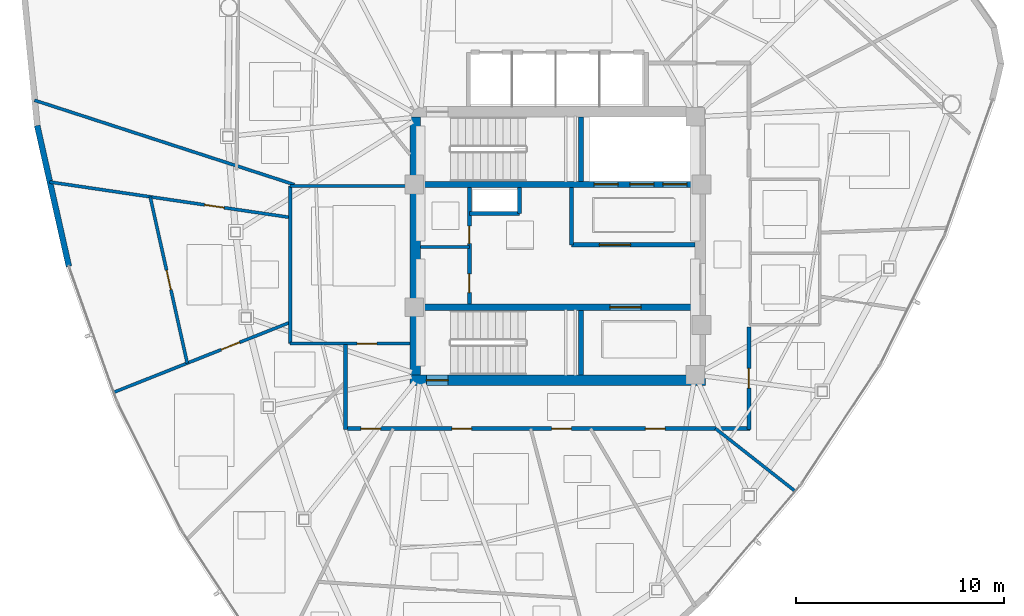
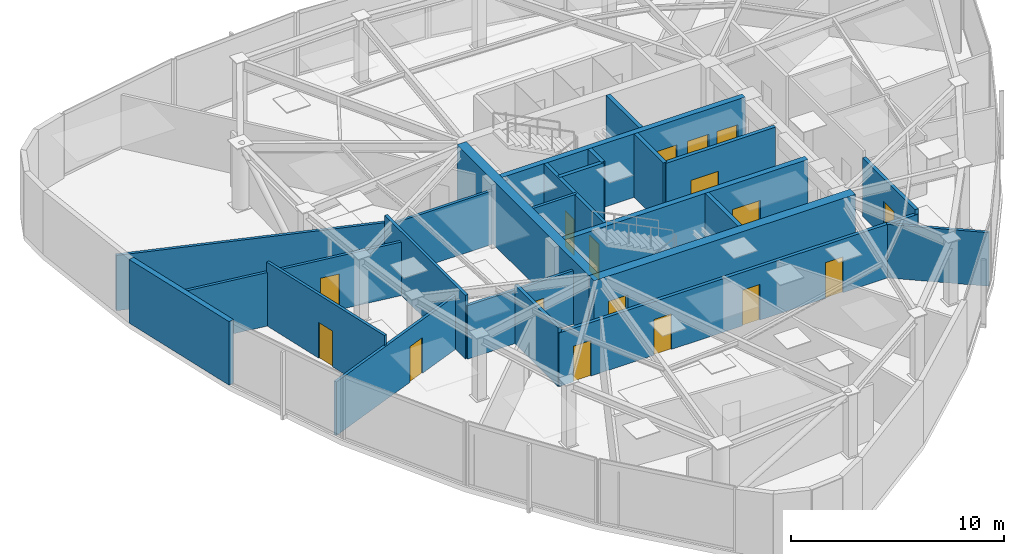
# One storey, part 8 of 13: 24 walls, 17 doors, 17 openings.
"""IFC4 building model written with IfcOpenShell, lengths in metres."""

import ifcopenshell
import ifcopenshell.guid

model = None  # the IFC model being written
_history = None  # IfcOwnerHistory: only IFC2X3 demands one
_inside = {}  # id of a spatial element -> (the spatial element, [elements in it])
_under = {}  # id of a project, library or spatial element -> (it, [spatial elements below it])
_declared = {}  # id of a project -> (the project, [libraries it declares])
_typed = {}  # id of a type object -> (the type object, [elements of that type])
_made_of = {}  # id of a material, layer set ... -> (it, [elements and type objects made of it])


def new_model(schema):
    """Start an empty IFC model of exactly this schema.

    Asked for "IFC4X3", IfcOpenShell would pick the latest addendum, in which some entities
    have other attributes; the version numbers below select the first issue.
    IFC2X3 requires an IfcOwnerHistory on every rooted entity: one is made here for all.
    """
    global model, _history
    if schema == "IFC4X3":
        model = ifcopenshell.file(schema_version=(4, 3, 0, 0))
    else:
        model = ifcopenshell.file(schema=schema)
    _inside.clear()
    _under.clear()
    _declared.clear()
    _typed.clear()
    _made_of.clear()
    _history = None
    if model.schema == "IFC2X3":
        org = make("IfcOrganization", Name="unknown")
        user = make(
            "IfcPersonAndOrganization",
            ThePerson=make("IfcPerson", FamilyName="unknown"),
            TheOrganization=org,
        )
        app = make(
            "IfcApplication",
            ApplicationDeveloper=org,
            Version="unknown",
            ApplicationFullName="unknown",
            ApplicationIdentifier="unknown",
        )
        _history = make(
            "IfcOwnerHistory",
            OwningUser=user,
            OwningApplication=app,
            ChangeAction="ADDED",
            CreationDate=0,
        )
    return model


def make(cls, **values):
    """One entity of the class cls with the attributes given. An attribute that is None is left unset."""
    return model.create_entity(
        cls, **{name: value for name, value in values.items() if value is not None}
    )


def rooted(cls, **values):
    """An entity with a GlobalId (a new one), such as an element, a storey or a relation."""
    return make(cls, GlobalId=ifcopenshell.guid.new(), OwnerHistory=_history, **values)


def si_unit(unit_type, name, prefix=None):
    """IfcSIUnit, for example si_unit("LENGTHUNIT", "METRE", prefix="MILLI")."""
    return make("IfcSIUnit", UnitType=unit_type, Prefix=prefix, Name=name)


def assignment(units):
    """IfcUnitAssignment: the units of a project."""
    return None if units is None else make("IfcUnitAssignment", Units=units)


def point(xyz):
    """IfcCartesianPoint."""
    return None if xyz is None else make("IfcCartesianPoint", Coordinates=xyz)


def direction(xyz):
    """IfcDirection."""
    return None if xyz is None else make("IfcDirection", DirectionRatios=xyz)


def frame(location, z_axis=None, x_axis=None):
    """IfcAxis2Placement3D, a coordinate frame: its origin and axes. An axis left out is left unset."""
    return make(
        "IfcAxis2Placement3D",
        Location=point(location),
        Axis=direction(z_axis),
        RefDirection=direction(x_axis),
    )


def frame_2d(location, x_axis=None):
    """IfcAxis2Placement2D, a coordinate frame in the plane: its origin and x axis."""
    return make(
        "IfcAxis2Placement2D", Location=point(location), RefDirection=direction(x_axis)
    )


def origin():
    """The frame at (0, 0, 0) with its axes left unset."""
    return frame((0.0, 0.0, 0.0))


def place(relative_to, where):
    """IfcLocalPlacement: puts the frame where relative to a parent placement (None: the world)."""
    return make(
        "IfcLocalPlacement", PlacementRelTo=relative_to, RelativePlacement=where
    )


def context(
    kind, dimensions, precision=None, world=None, true_north=None, identifier=None
):
    """IfcGeometricRepresentationContext, for example the 3D "Model" context."""
    return make(
        "IfcGeometricRepresentationContext",
        ContextIdentifier=identifier,
        ContextType=kind,
        CoordinateSpaceDimension=dimensions,
        Precision=precision,
        WorldCoordinateSystem=world,
        TrueNorth=true_north,
    )


def subcontext(parent, identifier, kind, view, scale=None):
    """IfcGeometricRepresentationSubContext, for example "Body" below "Model"."""
    return make(
        "IfcGeometricRepresentationSubContext",
        ContextIdentifier=identifier,
        ContextType=kind,
        ParentContext=parent,
        TargetScale=scale,
        TargetView=view,
    )


def project(units=None, contexts=None):
    """IfcProject with its units and contexts."""
    return rooted(
        "IfcProject",
        Name="project",
        RepresentationContexts=contexts,
        UnitsInContext=assignment(units),
    )


def spatial(cls, under=None, at=None, **own):
    """A site, building, storey or space (cls), placed at a placement, below another one or the project."""
    s = rooted(cls, ObjectPlacement=at, **own)
    if under is not None:
        _under.setdefault(under.id(), (under, []))[1].append(s)
    return s


def profile(cls, at=None, kind="AREA", **sizes):
    """A parametric profile (cls). Its sizes go by their IFC names, for example OverallWidth=200.0."""
    return make(cls, ProfileType=kind, Position=at, **sizes)


def rectangle(**sizes):
    """IfcRectangleProfileDef."""
    return profile("IfcRectangleProfileDef", **sizes)


def extrude(swept, where, along, depth):
    """IfcExtrudedAreaSolid: the profile swept, set in the frame where, extruded along a direction by depth."""
    return make(
        "IfcExtrudedAreaSolid",
        SweptArea=swept,
        Position=where,
        ExtrudedDirection=direction(along),
        Depth=depth,
    )


def shape(context_of_items, identifier, shape_type, items):
    """IfcShapeRepresentation: the items that make up one representation, for example the "Body"."""
    return make(
        "IfcShapeRepresentation",
        ContextOfItems=context_of_items,
        RepresentationIdentifier=identifier,
        RepresentationType=shape_type,
        Items=items,
    )


def material(Name=None, Category=None):
    """IfcMaterial."""
    return make("IfcMaterial", Name=Name, Category=Category)


def layer(
    of_material, thickness, ventilated=None, Name=None, Category=None, Priority=None
):
    """IfcMaterialLayer: one layer of a wall or slab, of a material (None: an air gap)."""
    return make(
        "IfcMaterialLayer",
        Material=of_material,
        LayerThickness=thickness,
        IsVentilated=ventilated,
        Name=Name,
        Category=Category,
        Priority=Priority,
    )


def layer_set(layers, Name=None):
    """IfcMaterialLayerSet."""
    return make("IfcMaterialLayerSet", MaterialLayers=layers, LayerSetName=Name)


def made_of(thing, what):
    """Note that an element or type object is made of a material, layer set ...; save() writes the relation."""
    if what is not None:
        _made_of.setdefault(what.id(), (what, []))[1].append(thing)
    return thing


def type_object(cls, material=None, **own):
    """A type object (cls), such as IfcWallType, which elements share."""
    return made_of(rooted(cls, **own), material)


def element(
    cls,
    number,
    at=None,
    inside=None,
    cuts=None,
    type_object=None,
    material=None,
    context=None,
    identifier="Body",
    shape_type=None,
    held_by="IfcProductDefinitionShape",
    body=None,
    shapes=None,
    **own,
):
    """One element of the class cls, such as IfcWall. Its Tag is "e" and its number.

    at: its placement. inside: the storey or other place that contains it. cuts: it is an
    opening in that element (IfcRelVoidsElement). A single representation is given by context,
    identifier, shape_type and body (its items); several are given by shapes. held_by: the class
    of the entity that holds the representations. save() writes the other relations.
    """
    e = rooted(cls, Tag="e%d" % number, ObjectPlacement=at, **own)
    if body is not None:
        shapes = [shape(context, identifier, shape_type, body)]
    if shapes is not None:
        e.Representation = make(held_by, Representations=shapes)
    if inside is not None:
        _inside.setdefault(inside.id(), (inside, []))[1].append(e)
    if cuts is not None:
        rooted(
            "IfcRelVoidsElement", RelatingBuildingElement=cuts, RelatedOpeningElement=e
        )
    if type_object is not None:
        _typed.setdefault(type_object.id(), (type_object, []))[1].append(e)
    return made_of(e, material)


def fill(opening, filler):
    """IfcRelFillsElement: the door or window that sits in an opening."""
    return rooted(
        "IfcRelFillsElement",
        RelatingOpeningElement=opening,
        RelatedBuildingElement=filler,
    )


def aggregate(whole, parts):
    """IfcRelAggregates: a whole, such as a stair, and the parts it consists of."""
    return rooted("IfcRelAggregates", RelatingObject=whole, RelatedObjects=parts)


def save(model, path):
    """Write the relations noted so far, then the file.

    IfcRelAggregates (storeys below a building ...), IfcRelContainedInSpatialStructure (elements
    in a storey), IfcRelDefinesByType, IfcRelAssociatesMaterial and IfcRelDeclares: one each for
    every whole, place, type object, material and project.
    """
    for whole, parts in _under.values():
        aggregate(whole, parts)
    for where, things in _inside.values():
        rooted(
            "IfcRelContainedInSpatialStructure",
            RelatedElements=things,
            RelatingStructure=where,
        )
    for kind, things in _typed.values():
        rooted("IfcRelDefinesByType", RelatedObjects=things, RelatingType=kind)
    for what, things in _made_of.values():
        rooted("IfcRelAssociatesMaterial", RelatedObjects=things, RelatingMaterial=what)
    for by, libraries in _declared.values():
        rooted("IfcRelDeclares", RelatingContext=by, RelatedDefinitions=libraries)
    model.write(path)


model = new_model("IFC4")

# Units and contexts
model_context = context("Model", 3, precision=1e-05, world=origin(), true_north=direction((0.0, 1.0)))
body_context = subcontext(model_context, "Body", "Model", "MODEL_VIEW")
ifc_project = project(units=[si_unit("LENGTHUNIT", "METRE"), si_unit("AREAUNIT", "SQUARE_METRE"), si_unit("VOLUMEUNIT", "CUBIC_METRE"), si_unit("PLANEANGLEUNIT", "RADIAN"), si_unit("MASSUNIT", "GRAM", prefix="KILO")], contexts=[model_context])

# Site, building, storey
site_placement = place(None, origin())
site = spatial("IfcSite", under=ifc_project, at=site_placement, CompositionType="ELEMENT")
building_placement = place(site_placement, origin())
building = spatial("IfcBuilding", under=site, at=building_placement, Name="Tavelor Broadcast Tower", CompositionType="ELEMENT")
storey_placement = place(building_placement, frame((0.0, 0.0, 265.60009765625)))
storey = spatial("IfcBuildingStorey", under=building, at=storey_placement, Name="L63", CompositionType="ELEMENT", Elevation=265.60009765625)

# Wall, opening, door
ifc_material_1 = material(Name="Concrete C50/60", Category="concrete")
ifc_layer_1 = layer(ifc_material_1, 0.5)
ifc_layer_set_1 = layer_set([ifc_layer_1], Name="Concrete C50/60")
wall_type_1 = type_object("IfcWallType", Name="Core Shear Wall 500 mm", PredefinedType="SHEAR", material=ifc_layer_set_1)
wall_1_placement = place(storey_placement, frame((42.89990234375, 38.550048828125, 0.0), z_axis=(0.0, 0.0, 1.0), x_axis=(1.0, 0.0, 0.0)))
wall_1 = element("IfcWall", 1, at=wall_1_placement, inside=storey, type_object=wall_type_1, Name="L63 Central Core Shear Wall S", PredefinedType="SHEAR", context=body_context, shape_type="SweptSolid", body=[
    extrude(rectangle(XDim=14.2001953125, YDim=0.5, at=frame_2d((7.10009765625, 0.0))), origin(), (0.0, 0.0, 1.0), 3.64990234375),
])
opening_1_placement = place(wall_1_placement, frame((0.780029296875, 0.0, 0.0)))
opening_1 = element("IfcOpeningElement", 2, at=opening_1_placement, cuts=wall_1, Name="Opening DR11", PredefinedType="OPENING", context=body_context, shape_type="SweptSolid", body=[
    extrude(rectangle(XDim=1.050048828125, YDim=2.199951171875, at=frame_2d((0.52490234375, 1.10009765625))), frame((0.0, 0.260009765625, 0.0), z_axis=(0.0, -1.0, 0.0), x_axis=(1.0, 0.0, 0.0)), (0.0, 0.0, 1.0), 0.52001953125),
])
ifc_material_2 = material(Name="Steel S355", Category="steel")
door_type_1 = type_object("IfcDoorType", Name="Stair Core Fire Escape Door 1050x2200", OperationType="NOTDEFINED", PredefinedType="DOOR", material=ifc_material_2)
door_1_placement = place(opening_1_placement, origin())
door_1 = element("IfcDoor", 3, at=door_1_placement, inside=storey, type_object=door_type_1, Name="L63 Stair ST2 Protected Exit Door", OperationType="SINGLE_SWING_RIGHT", OverallHeight=2.199951171875, OverallWidth=1.050048828125, PredefinedType="DOOR", context=body_context, shape_type="SweptSolid", body=[
    extrude(rectangle(XDim=1.050048828125, YDim=2.199951171875, at=frame_2d((0.52490234375, 1.10009765625))), frame((0.0, 0.02490234375, 0.0), z_axis=(0.0, -1.0, 0.0), x_axis=(1.0, 0.0, 0.0)), (0.0, 0.0, 1.0), 0.050048828125),
])
fill(opening_1, door_1)

# Wall
wall_2_placement = place(storey_placement, frame((43.14990234375, 38.800048828125, 0.0), z_axis=(0.0, 0.0, 1.0), x_axis=(0.0, 1.0, 0.0)))
element("IfcWall", 4, at=wall_2_placement, inside=storey, type_object=wall_type_1, Name="L63 Central Core Shear Wall W", PredefinedType="SHEAR", context=body_context, shape_type="SweptSolid", body=[
    extrude(rectangle(XDim=12.39990234375, YDim=0.5, at=frame_2d((6.199951171875, 0.0))), origin(), (0.0, 0.0, 1.0), 3.64990234375),
])

# Wall, openings, doors
ifc_layer_2 = layer(ifc_material_1, 0.300048828125)
ifc_layer_set_2 = layer_set([ifc_layer_2], Name="Concrete C50/60")
wall_type_2 = type_object("IfcWallType", Name="Core Spine Shear Wall 300 mm C50", PredefinedType="SHEAR", material=ifc_layer_set_2)
wall_3_placement = place(storey_placement, frame((43.39990234375, 47.949951171875, 0.0), z_axis=(0.0, 0.0, 1.0), x_axis=(1.0, 0.0, 0.0)))
wall_3 = element("IfcWall", 5, at=wall_3_placement, inside=storey, type_object=wall_type_2, Name="L63 Central Core Shear Wall SP1", PredefinedType="SHEAR", context=body_context, shape_type="SweptSolid", body=[
    extrude(rectangle(XDim=13.2001953125, YDim=0.300048828125, at=frame_2d((6.60009765625, 0.0))), origin(), (0.0, 0.0, 1.0), 3.64990234375),
])
opening_2_placement = place(wall_3_placement, frame((8.344970703125, 0.0, 0.0)))
opening_2 = element("IfcOpeningElement", 6, at=opening_2_placement, cuts=wall_3, Name="Opening LD02", PredefinedType="OPENING", context=body_context, shape_type="SweptSolid", body=[
    extrude(rectangle(XDim=1.14990234375, YDim=2.199951171875, at=frame_2d((0.574951171875, 1.10009765625))), frame((0.0, 0.16015625, 0.0), z_axis=(0.0, -1.0, 0.0), x_axis=(1.0, 0.0, 0.0)), (0.0, 0.0, 1.0), 0.320068359375),
])
opening_3_placement = place(wall_3_placement, frame((10.06494140625, 0.0, 0.0)))
opening_3 = element("IfcOpeningElement", 7, at=opening_3_placement, cuts=wall_3, Name="Opening LD02", PredefinedType="OPENING", context=body_context, shape_type="SweptSolid", body=[
    extrude(rectangle(XDim=1.14990234375, YDim=2.199951171875, at=frame_2d((0.574951171875, 1.10009765625))), frame((0.0, 0.16015625, 0.0), z_axis=(0.0, -1.0, 0.0), x_axis=(1.0, 0.0, 0.0)), (0.0, 0.0, 1.0), 0.320068359375),
])
opening_4_placement = place(wall_3_placement, frame((11.64501953125, 0.0, 0.0)))
opening_4 = element("IfcOpeningElement", 8, at=opening_4_placement, cuts=wall_3, Name="Opening LD03", PredefinedType="OPENING", context=body_context, shape_type="SweptSolid", body=[
    extrude(rectangle(XDim=1.14990234375, YDim=2.199951171875, at=frame_2d((0.574951171875, 1.10009765625))), frame((0.0, 0.16015625, 0.0), z_axis=(0.0, -1.0, 0.0), x_axis=(1.0, 0.0, 0.0)), (0.0, 0.0, 1.0), 0.320068359375),
])
ifc_material_3 = material(Name="Reinforced Brushed Stainless Steel", Category="concrete")
door_type_2 = type_object("IfcDoorType", Name="Broadcast Goods Lift Sliding Landing Door 1250x2200", OperationType="NOTDEFINED", PredefinedType="DOOR", material=ifc_material_3)
door_2_placement = place(opening_4_placement, origin())
door_2 = element("IfcDoor", 9, at=door_2_placement, inside=storey, type_object=door_type_2, Name="L63 Lift SVL1 Sliding Landing Door", OperationType="SLIDING_TO_LEFT", OverallHeight=2.199951171875, OverallWidth=1.14990234375, PredefinedType="DOOR", context=body_context, shape_type="SweptSolid", body=[
    extrude(rectangle(XDim=1.14990234375, YDim=2.199951171875, at=frame_2d((0.574951171875, 1.10009765625))), frame((0.0, 0.02490234375, 0.0), z_axis=(0.0, -1.0, 0.0), x_axis=(1.0, 0.0, 0.0)), (0.0, 0.0, 1.0), 0.050048828125),
])
fill(opening_4, door_2)
ifc_material_4 = material(Name="Fire-Rated Stainless Steel", Category="steel")
door_type_3 = type_object("IfcDoorType", Name="Firefighting Lift Sliding Landing Door 1200x2200", OperationType="NOTDEFINED", PredefinedType="DOOR", material=ifc_material_4)
door_3_placement = place(opening_2_placement, origin())
door_3 = element("IfcDoor", 10, at=door_3_placement, inside=storey, type_object=door_type_3, Name="L63 Lift FFL1 Sliding Landing Door", OperationType="SLIDING_TO_LEFT", OverallHeight=2.199951171875, OverallWidth=1.14990234375, PredefinedType="DOOR", context=body_context, shape_type="SweptSolid", body=[
    extrude(rectangle(XDim=1.14990234375, YDim=2.199951171875, at=frame_2d((0.574951171875, 1.10009765625))), frame((0.0, 0.02490234375, 0.0), z_axis=(0.0, -1.0, 0.0), x_axis=(1.0, 0.0, 0.0)), (0.0, 0.0, 1.0), 0.050048828125),
])
fill(opening_2, door_3)
door_4_placement = place(opening_3_placement, origin())
door_4 = element("IfcDoor", 11, at=door_4_placement, inside=storey, type_object=door_type_3, Name="L63 Lift FFL2 Sliding Landing Door", OperationType="SLIDING_TO_LEFT", OverallHeight=2.199951171875, OverallWidth=1.14990234375, PredefinedType="DOOR", context=body_context, shape_type="SweptSolid", body=[
    extrude(rectangle(XDim=1.14990234375, YDim=2.199951171875, at=frame_2d((0.574951171875, 1.10009765625))), frame((0.0, 0.02490234375, 0.0), z_axis=(0.0, -1.0, 0.0), x_axis=(1.0, 0.0, 0.0)), (0.0, 0.0, 1.0), 0.050048828125),
])
fill(opening_3, door_4)

# Wall, opening, door
wall_4_placement = place(storey_placement, frame((43.39990234375, 42.050048828125, 0.0), z_axis=(0.0, 0.0, 1.0), x_axis=(1.0, 0.0, 0.0)))
wall_4 = element("IfcWall", 12, at=wall_4_placement, inside=storey, type_object=wall_type_2, Name="L63 Central Core Shear Wall SP2", PredefinedType="SHEAR", context=body_context, shape_type="SweptSolid", body=[
    extrude(rectangle(XDim=13.2001953125, YDim=0.300048828125, at=frame_2d((6.60009765625, 0.0))), origin(), (0.0, 0.0, 1.0), 3.64990234375),
])
opening_5_placement = place(wall_4_placement, frame((9.10009765625, 0.0, 0.0)))
opening_5 = element("IfcOpeningElement", 13, at=opening_5_placement, cuts=wall_4, Name="Opening DR14", PredefinedType="OPENING", context=body_context, shape_type="SweptSolid", body=[
    extrude(rectangle(XDim=1.5, YDim=2.199951171875, at=frame_2d((0.75, 1.10009765625))), frame((0.0, 0.16015625, 0.0), z_axis=(0.0, -1.0, 0.0), x_axis=(1.0, 0.0, 0.0)), (0.0, 0.0, 1.0), 0.320068359375),
])
door_type_4 = type_object("IfcDoorType", Name="Firefighting Lobby Double Fire Door 1500x2200", OperationType="NOTDEFINED", PredefinedType="DOOR", material=ifc_material_2)
door_5_placement = place(opening_5_placement, origin())
door_5 = element("IfcDoor", 14, at=door_5_placement, inside=storey, type_object=door_type_4, Name="L63 Reclaimed South Core Vestibule Door", OperationType="SINGLE_SWING_LEFT", OverallHeight=2.199951171875, OverallWidth=1.5, PredefinedType="DOOR", context=body_context, shape_type="SweptSolid", body=[
    extrude(rectangle(XDim=1.5, YDim=2.199951171875, at=frame_2d((0.75, 1.10009765625))), frame((0.0, 0.02490234375, 0.0), z_axis=(0.0, -1.0, 0.0), x_axis=(1.0, 0.0, 0.0)), (0.0, 0.0, 1.0), 0.050048828125),
])
fill(opening_5, door_5)

# Wall, openings, doors
ifc_material_5 = material(Name="Calcium Silicate Fire Board 180 mm", Category="gypsum")
ifc_layer_3 = layer(ifc_material_5, 0.179931640625)
ifc_layer_set_3 = layer_set([ifc_layer_3], Name="Calcium Silicate Fire Board 180 mm")
wall_type_3 = type_object("IfcWallType", Name="Fire-Rated Corridor Partition Wall 180 mm", PredefinedType="PARTITIONING", material=ifc_layer_set_3)
wall_5_placement = place(storey_placement, frame((45.75, 42.199951171875, 0.0), z_axis=(0.0, 0.0, 1.0), x_axis=(0.0, 1.0, 0.0)))
wall_5 = element("IfcWall", 15, at=wall_5_placement, inside=storey, type_object=wall_type_3, Name="L63 Core West Service East Wall", PredefinedType="PARTITIONING", context=body_context, shape_type="SweptSolid", body=[
    extrude(rectangle(XDim=5.60009765625, YDim=0.179931640625, at=frame_2d((2.800048828125, 0.0))), origin(), (0.0, 0.0, 1.0), 3.64990234375),
])
opening_6_placement = place(wall_5_placement, frame((0.550048828125, 0.0, 0.0)))
opening_6 = element("IfcOpeningElement", 16, at=opening_6_placement, cuts=wall_5, Name="Opening DR32", PredefinedType="OPENING", context=body_context, shape_type="SweptSolid", body=[
    extrude(rectangle(XDim=0.89990234375, YDim=2.050048828125, at=frame_2d((0.449951171875, 1.02490234375))), frame((0.0, 0.10009765625, 0.0), z_axis=(0.0, -1.0, 0.0), x_axis=(1.0, 0.0, 0.0)), (0.0, 0.0, 1.0), 0.199951171875),
])
opening_7_placement = place(wall_5_placement, frame((2.89990234375, 0.0, 0.0)))
opening_7 = element("IfcOpeningElement", 17, at=opening_7_placement, cuts=wall_5, Name="Opening DR36", PredefinedType="OPENING", context=body_context, shape_type="SweptSolid", body=[
    extrude(rectangle(XDim=0.85009765625, YDim=2.050048828125, at=frame_2d((0.425048828125, 1.02490234375))), frame((0.0, 0.10009765625, 0.0), z_axis=(0.0, -1.0, 0.0), x_axis=(1.0, 0.0, 0.0)), (0.0, 0.0, 1.0), 0.199951171875),
])
ifc_material_6 = material(Name="Timber Solid Core Hardwood", Category="wood")
door_type_5 = type_object("IfcDoorType", Name="Accessible Washroom Door 900x2050", OperationType="NOTDEFINED", PredefinedType="DOOR", material=ifc_material_6)
door_6_placement = place(opening_6_placement, origin())
door_6 = element("IfcDoor", 18, at=door_6_placement, inside=storey, type_object=door_type_5, Name="L63 Core Accessible WC Door", OperationType="SINGLE_SWING_LEFT", OverallHeight=2.050048828125, OverallWidth=0.89990234375, PredefinedType="DOOR", context=body_context, shape_type="SweptSolid", body=[
    extrude(rectangle(XDim=0.89990234375, YDim=2.050048828125, at=frame_2d((0.449951171875, 1.02490234375))), frame((0.0, 0.02490234375, 0.0), z_axis=(0.0, -1.0, 0.0), x_axis=(1.0, 0.0, 0.0)), (0.0, 0.0, 1.0), 0.050048828125),
])
fill(opening_6, door_6)
door_type_6 = type_object("IfcDoorType", Name="Service Room Fire Door 850x2050", OperationType="NOTDEFINED", PredefinedType="DOOR", material=ifc_material_2)
door_7_placement = place(opening_7_placement, origin())
door_7 = element("IfcDoor", 19, at=door_7_placement, inside=storey, type_object=door_type_6, Name="L63 Core Cleaner Store Door", OperationType="SINGLE_SWING_RIGHT", OverallHeight=2.050048828125, OverallWidth=0.85009765625, PredefinedType="DOOR", context=body_context, shape_type="SweptSolid", body=[
    extrude(rectangle(XDim=0.85009765625, YDim=2.050048828125, at=frame_2d((0.425048828125, 1.02490234375))), frame((0.0, 0.02490234375, 0.0), z_axis=(0.0, -1.0, 0.0), x_axis=(1.0, 0.0, 0.0)), (0.0, 0.0, 1.0), 0.050048828125),
])
fill(opening_7, door_7)

# Wall, opening, door
wall_6_placement = place(storey_placement, frame((59.179931640625, 41.10009765625, 0.0), z_axis=(0.0, 0.0, 1.0), x_axis=(0.0, -1.0, 0.0)))
wall_6 = element("IfcWall", 20, at=wall_6_placement, inside=storey, type_object=wall_type_3, Name="L63 Corridor Compartment Wall 03", PredefinedType="PARTITIONING", context=body_context, shape_type="SweptSolid", body=[
    extrude(rectangle(XDim=4.93017578125, YDim=0.179931640625, at=frame_2d((2.465087890625, 0.0))), origin(), (0.0, 0.0, 1.0), 3.35498046875),
])
opening_8_placement = place(wall_6_placement, frame((1.989990234375, 0.0, 0.0)))
opening_8 = element("IfcOpeningElement", 21, at=opening_8_placement, cuts=wall_6, Name="Opening DR18", PredefinedType="OPENING", context=body_context, shape_type="SweptSolid", body=[
    extrude(rectangle(XDim=0.949951171875, YDim=2.050048828125, at=frame_2d((0.47509765625, 1.02490234375))), frame((0.0, 0.10009765625, 0.0), z_axis=(0.0, -1.0, 0.0), x_axis=(1.0, 0.0, 0.0)), (0.0, 0.0, 1.0), 0.199951171875),
])
door_type_7 = type_object("IfcDoorType", Name="Corridor Rated Compartment Door 950x2050", OperationType="NOTDEFINED", PredefinedType="DOOR", material=ifc_material_6)
door_8_placement = place(opening_8_placement, origin())
door_8 = element("IfcDoor", 22, at=door_8_placement, inside=storey, type_object=door_type_7, Name="L63 Talent Script Den Door R1", OperationType="SINGLE_SWING_LEFT", OverallHeight=2.050048828125, OverallWidth=0.949951171875, PredefinedType="DOOR", context=body_context, shape_type="SweptSolid", body=[
    extrude(rectangle(XDim=0.949951171875, YDim=2.050048828125, at=frame_2d((0.47509765625, 1.02490234375))), frame((0.0, 0.02490234375, 0.0), z_axis=(0.0, -1.0, 0.0), x_axis=(1.0, 0.0, 0.0)), (0.0, 0.0, 1.0), 0.050048828125),
])
fill(opening_8, door_8)

# Wall, openings, doors
wall_7_placement = place(storey_placement, frame((59.22998046875, 36.219970703125, 0.0), z_axis=(0.0, 0.0, 1.0), x_axis=(-1.0, 0.0, 0.0)))
wall_7 = element("IfcWall", 23, at=wall_7_placement, inside=storey, type_object=wall_type_3, Name="L63 Corridor Compartment Wall 04", PredefinedType="PARTITIONING", context=body_context, shape_type="SweptSolid", body=[
    extrude(rectangle(XDim=19.47998046875, YDim=0.179931640625, at=frame_2d((9.739990234375, 0.0))), origin(), (0.0, 0.0, 1.0), 3.074951171875),
])
opening_9_placement = place(wall_7_placement, frame((4.0712890625, 0.0, 0.0)))
opening_9 = element("IfcOpeningElement", 24, at=opening_9_placement, cuts=wall_7, Name="Opening DR18", PredefinedType="OPENING", context=body_context, shape_type="SweptSolid", body=[
    extrude(rectangle(XDim=0.949951171875, YDim=2.050048828125, at=frame_2d((0.47509765625, 1.02490234375))), frame((0.0, 0.10009765625, 0.0), z_axis=(0.0, -1.0, 0.0), x_axis=(1.0, 0.0, 0.0)), (0.0, 0.0, 1.0), 0.199951171875),
])
opening_10_placement = place(wall_7_placement, frame((8.58251953125, 0.0, 0.0)))
opening_10 = element("IfcOpeningElement", 25, at=opening_10_placement, cuts=wall_7, Name="Opening DR18", PredefinedType="OPENING", context=body_context, shape_type="SweptSolid", body=[
    extrude(rectangle(XDim=0.949951171875, YDim=2.050048828125, at=frame_2d((0.47509765625, 1.02490234375))), frame((0.0, 0.10009765625, 0.0), z_axis=(0.0, -1.0, 0.0), x_axis=(1.0, 0.0, 0.0)), (0.0, 0.0, 1.0), 0.199951171875),
])
opening_11_placement = place(wall_7_placement, frame((13.3720703125, 0.0, 0.0)))
opening_11 = element("IfcOpeningElement", 26, at=opening_11_placement, cuts=wall_7, Name="Opening DR18", PredefinedType="OPENING", context=body_context, shape_type="SweptSolid", body=[
    extrude(rectangle(XDim=0.949951171875, YDim=2.050048828125, at=frame_2d((0.47509765625, 1.02490234375))), frame((0.0, 0.10009765625, 0.0), z_axis=(0.0, -1.0, 0.0), x_axis=(1.0, 0.0, 0.0)), (0.0, 0.0, 1.0), 0.199951171875),
])
opening_12_placement = place(wall_7_placement, frame((17.747314453125, 0.0, 0.0)))
opening_12 = element("IfcOpeningElement", 27, at=opening_12_placement, cuts=wall_7, Name="Opening DR18", PredefinedType="OPENING", context=body_context, shape_type="SweptSolid", body=[
    extrude(rectangle(XDim=0.949951171875, YDim=2.050048828125, at=frame_2d((0.47509765625, 1.02490234375))), frame((0.0, 0.10009765625, 0.0), z_axis=(0.0, -1.0, 0.0), x_axis=(1.0, 0.0, 0.0)), (0.0, 0.0, 1.0), 0.199951171875),
])
door_9_placement = place(opening_9_placement, origin())
door_9 = element("IfcDoor", 28, at=door_9_placement, inside=storey, type_object=door_type_7, Name="L63 Editorial Quiet Study Door R2", OperationType="SINGLE_SWING_RIGHT", OverallHeight=2.050048828125, OverallWidth=0.949951171875, PredefinedType="DOOR", context=body_context, shape_type="SweptSolid", body=[
    extrude(rectangle(XDim=0.949951171875, YDim=2.050048828125, at=frame_2d((0.47509765625, 1.02490234375))), frame((0.0, 0.02490234375, 0.0), z_axis=(0.0, -1.0, 0.0), x_axis=(1.0, 0.0, 0.0)), (0.0, 0.0, 1.0), 0.050048828125),
])
fill(opening_9, door_9)
door_10_placement = place(opening_10_placement, origin())
door_10 = element("IfcDoor", 29, at=door_10_placement, inside=storey, type_object=door_type_7, Name="L63 Broadcast Script Study Door R3", OperationType="SINGLE_SWING_LEFT", OverallHeight=2.050048828125, OverallWidth=0.949951171875, PredefinedType="DOOR", context=body_context, shape_type="SweptSolid", body=[
    extrude(rectangle(XDim=0.949951171875, YDim=2.050048828125, at=frame_2d((0.47509765625, 1.02490234375))), frame((0.0, 0.02490234375, 0.0), z_axis=(0.0, -1.0, 0.0), x_axis=(1.0, 0.0, 0.0)), (0.0, 0.0, 1.0), 0.050048828125),
])
fill(opening_10, door_10)
door_11_placement = place(opening_11_placement, origin())
door_11 = element("IfcDoor", 30, at=door_11_placement, inside=storey, type_object=door_type_7, Name="L63 Wellness Quiet Room Door R13", OperationType="SINGLE_SWING_RIGHT", OverallHeight=2.050048828125, OverallWidth=0.949951171875, PredefinedType="DOOR", context=body_context, shape_type="SweptSolid", body=[
    extrude(rectangle(XDim=0.949951171875, YDim=2.050048828125, at=frame_2d((0.47509765625, 1.02490234375))), frame((0.0, 0.02490234375, 0.0), z_axis=(0.0, -1.0, 0.0), x_axis=(1.0, 0.0, 0.0)), (0.0, 0.0, 1.0), 0.050048828125),
])
fill(opening_11, door_11)
door_12_placement = place(opening_12_placement, origin())
door_12 = element("IfcDoor", 31, at=door_12_placement, inside=storey, type_object=door_type_7, Name="L63 Presenter Quiet Snug Door R5", OperationType="SINGLE_SWING_LEFT", OverallHeight=2.050048828125, OverallWidth=0.949951171875, PredefinedType="DOOR", context=body_context, shape_type="SweptSolid", body=[
    extrude(rectangle(XDim=0.949951171875, YDim=2.050048828125, at=frame_2d((0.47509765625, 1.02490234375))), frame((0.0, 0.02490234375, 0.0), z_axis=(0.0, -1.0, 0.0), x_axis=(1.0, 0.0, 0.0)), (0.0, 0.0, 1.0), 0.050048828125),
])
fill(opening_12, door_12)

# Walls
wall_8_placement = place(storey_placement, frame((39.800048828125, 36.169921875, 0.0), z_axis=(0.0, 0.0, 1.0), x_axis=(0.0, 1.0, 0.0)))
element("IfcWall", 32, at=wall_8_placement, inside=storey, type_object=wall_type_3, Name="L63 Corridor Compartment Wall 05", PredefinedType="PARTITIONING", context=body_context, shape_type="SweptSolid", body=[
    extrude(rectangle(XDim=4.080078125, YDim=0.179931640625, at=frame_2d((2.0400390625, 0.0))), origin(), (0.0, 0.0, 1.0), 3.35498046875),
])
ifc_material_7 = material(Name="Precast Concrete C40/50", Category="concrete")
ifc_layer_4 = layer(ifc_material_7, 0.280029296875)
ifc_layer_set_4 = layer_set([ifc_layer_4], Name="Precast Concrete C40/50")
wall_type_4 = type_object("IfcWallType", Name="Insulated Precast Terracotta Facade Wall 280 mm", PredefinedType="STANDARD", material=ifc_layer_set_4)
wall_9_placement = place(storey_placement, frame((24.98486328125, 50.7802734375, 0.0), z_axis=(0.0, 0.0, 1.0), x_axis=(0.219404962575, -0.975633877229, 0.0)))
element("IfcWall", 33, at=wall_9_placement, inside=storey, type_object=wall_type_4, Name="L63 Rounded Corner Structural Cladding Pier 06", PredefinedType="STANDARD", context=body_context, shape_type="SweptSolid", body=[
    extrude(rectangle(XDim=6.9345703125, YDim=0.280029296875, at=frame_2d((3.46728515625, 0.0))), origin(), (0.0, 0.0, 1.0), 3.64990234375),
])
ifc_material_8 = material(Name="Gypsum Acoustic Plasterboard 150 mm", Category="gypsum")
ifc_layer_5 = layer(ifc_material_8, 0.14990234375)
ifc_layer_set_5 = layer_set([ifc_layer_5], Name="Gypsum Acoustic Plasterboard 150 mm")
wall_type_5 = type_object("IfcWallType", Name="Interior Acoustic Partition Wall 150 mm", PredefinedType="PARTITIONING", material=ifc_layer_set_5)
wall_10_placement = place(storey_placement, frame((43.39990234375, 44.949951171875, 0.0), z_axis=(0.0, 0.0, 1.0), x_axis=(1.0, 0.0, 0.0)))
element("IfcWall", 34, at=wall_10_placement, inside=storey, type_object=wall_type_5, Name="L63 Core Split Wall A", PredefinedType="PARTITIONING", context=body_context, shape_type="SweptSolid", body=[
    extrude(rectangle(XDim=2.35009765625, YDim=0.14990234375, at=frame_2d((1.175048828125, 0.0))), origin(), (0.0, 0.0, 1.0), 3.64990234375),
])

# Wall, opening, door
wall_11_placement = place(storey_placement, frame((37.139892578125, 40.300048828125, 0.0), z_axis=(0.0, 0.0, 1.0), x_axis=(1.0, 0.0, 0.0)))
wall_11 = element("IfcWall", 35, at=wall_11_placement, inside=storey, type_object=wall_type_5, Name="L63 Reclaimed Shaft Pantry South Wall", PredefinedType="PARTITIONING", context=body_context, shape_type="SweptSolid", body=[
    extrude(rectangle(XDim=5.760009765625, YDim=0.14990234375, at=frame_2d((2.8798828125, 0.0))), origin(), (0.0, 0.0, 1.0), 3.074951171875),
])
opening_13_placement = place(wall_11_placement, frame((3.2099609375, 0.0, 0.0)))
opening_13 = element("IfcOpeningElement", 36, at=opening_13_placement, cuts=wall_11, Name="Opening DR18", PredefinedType="OPENING", context=body_context, shape_type="SweptSolid", body=[
    extrude(rectangle(XDim=0.949951171875, YDim=2.050048828125, at=frame_2d((0.47509765625, 1.02490234375))), frame((0.0, 0.0849609375, 0.0), z_axis=(0.0, -1.0, 0.0), x_axis=(1.0, 0.0, 0.0)), (0.0, 0.0, 1.0), 0.169921875),
])
door_13_placement = place(opening_13_placement, origin())
door_13 = element("IfcDoor", 37, at=door_13_placement, inside=storey, type_object=door_type_7, Name="L63 Broadcast IT Patch and Pantry Door", OperationType="SINGLE_SWING_LEFT", OverallHeight=2.050048828125, OverallWidth=0.949951171875, PredefinedType="DOOR", context=body_context, shape_type="SweptSolid", body=[
    extrude(rectangle(XDim=0.949951171875, YDim=2.050048828125, at=frame_2d((0.47509765625, 1.02490234375))), frame((0.0, 0.02490234375, 0.0), z_axis=(0.0, -1.0, 0.0), x_axis=(1.0, 0.0, 0.0)), (0.0, 0.0, 1.0), 0.050048828125),
])
fill(opening_13, door_13)

# Walls
wall_12_placement = place(storey_placement, frame((37.139892578125, 40.300048828125, 0.0), z_axis=(0.0, 0.0, 1.0), x_axis=(0.0, 1.0, 0.0)))
element("IfcWall", 38, at=wall_12_placement, inside=storey, type_object=wall_type_5, Name="L63 Reclaimed Shaft Pantry West Wall", PredefinedType="PARTITIONING", context=body_context, shape_type="SweptSolid", body=[
    extrude(rectangle(XDim=7.579833984375, YDim=0.14990234375, at=frame_2d((3.7900390625, 0.0))), origin(), (0.0, 0.0, 1.0), 3.64990234375),
])
wall_13_placement = place(storey_placement, frame((37.139892578125, 47.8798828125, 0.0), z_axis=(0.0, 0.0, 1.0), x_axis=(1.0, 0.0, 0.0)))
element("IfcWall", 39, at=wall_13_placement, inside=storey, type_object=wall_type_5, Name="L63 Reclaimed Shaft Pantry North Wall", PredefinedType="PARTITIONING", context=body_context, shape_type="SweptSolid", body=[
    extrude(rectangle(XDim=5.760009765625, YDim=0.14990234375, at=frame_2d((2.8798828125, 0.0))), origin(), (0.0, 0.0, 1.0), 3.074951171875),
])
wall_14_placement = place(storey_placement, frame((37.343994140625, 47.93994140625, 0.0), z_axis=(0.0, 0.0, 1.0), x_axis=(-0.951128986238, 0.30879386577, 0.0)))
element("IfcWall", 40, at=wall_14_placement, inside=storey, type_object=wall_type_5, Name="L63 Radial Compartment Wall 02", PredefinedType="PARTITIONING", context=body_context, shape_type="SweptSolid", body=[
    extrude(rectangle(XDim=13.130615234375, YDim=0.14990234375, at=frame_2d((6.5654296875, 0.0))), origin(), (0.0, 0.0, 1.0), 3.1748046875),
])

# Wall, opening, door
wall_15_placement = place(storey_placement, frame((37.080078125, 46.373046875, 0.0), z_axis=(0.0, 0.0, 1.0), x_axis=(-0.989323166156, 0.145738371431, 0.0)))
wall_15 = element("IfcWall", 41, at=wall_15_placement, inside=storey, type_object=wall_type_5, Name="L63 Radial Compartment Wall 03", PredefinedType="PARTITIONING", context=body_context, shape_type="SweptSolid", body=[
    extrude(rectangle(XDim=11.619140625, YDim=0.14990234375, at=frame_2d((5.8095703125, 0.0))), origin(), (0.0, 0.0, 1.0), 3.074951171875),
])
opening_14_placement = place(wall_15_placement, frame((3.14990234375, 0.0, 0.0)))
opening_14 = element("IfcOpeningElement", 42, at=opening_14_placement, cuts=wall_15, Name="Opening DR18", PredefinedType="OPENING", context=body_context, shape_type="SweptSolid", body=[
    extrude(rectangle(XDim=0.949951171875, YDim=2.050048828125, at=frame_2d((0.47509765625, 1.02490234375))), frame((0.0, 0.0849609375, 0.0), z_axis=(0.0, -1.0, 0.0), x_axis=(1.0, 0.0, 0.0)), (0.0, 0.0, 1.0), 0.169921875),
])
door_14_placement = place(opening_14_placement, origin())
door_14 = element("IfcDoor", 43, at=door_14_placement, inside=storey, type_object=door_type_7, Name="L63 Suite Connecting Door 8", OperationType="SINGLE_SWING_RIGHT", OverallHeight=2.050048828125, OverallWidth=0.949951171875, PredefinedType="DOOR", context=body_context, shape_type="SweptSolid", body=[
    extrude(rectangle(XDim=0.949951171875, YDim=2.050048828125, at=frame_2d((0.47509765625, 1.02490234375))), frame((0.0, 0.02490234375, 0.0), z_axis=(0.0, -1.0, 0.0), x_axis=(1.0, 0.0, 0.0)), (0.0, 0.0, 1.0), 0.050048828125),
])
fill(opening_14, door_14)

wall_16_placement = place(storey_placement, frame((37.080078125, 41.3017578125, 0.0), z_axis=(0.0, 0.0, 1.0), x_axis=(-0.929502291, -0.368816337797, 0.0)))
wall_16 = element("IfcWall", 44, at=wall_16_placement, inside=storey, type_object=wall_type_5, Name="L63 Radial Compartment Wall 04", PredefinedType="PARTITIONING", context=body_context, shape_type="SweptSolid", body=[
    extrude(rectangle(XDim=9.0634765625, YDim=0.14990234375, at=frame_2d((4.53173828125, 0.0))), origin(), (0.0, 0.0, 1.0), 3.074951171875),
])
opening_15_placement = place(wall_16_placement, frame((2.550048828125, 0.0, 0.0)))
opening_15 = element("IfcOpeningElement", 45, at=opening_15_placement, cuts=wall_16, Name="Opening DR18", PredefinedType="OPENING", context=body_context, shape_type="SweptSolid", body=[
    extrude(rectangle(XDim=0.949951171875, YDim=2.050048828125, at=frame_2d((0.47509765625, 1.02490234375))), frame((0.0, 0.0849609375, 0.0), z_axis=(0.0, -1.0, 0.0), x_axis=(1.0, 0.0, 0.0)), (0.0, 0.0, 1.0), 0.169921875),
])
door_15_placement = place(opening_15_placement, origin())
door_15 = element("IfcDoor", 46, at=door_15_placement, inside=storey, type_object=door_type_7, Name="L63 Suite Connecting Door 14", OperationType="SINGLE_SWING_LEFT", OverallHeight=2.050048828125, OverallWidth=0.949951171875, PredefinedType="DOOR", context=body_context, shape_type="SweptSolid", body=[
    extrude(rectangle(XDim=0.949951171875, YDim=2.050048828125, at=frame_2d((0.47509765625, 1.02490234375))), frame((0.0, 0.02490234375, 0.0), z_axis=(0.0, -1.0, 0.0), x_axis=(1.0, 0.0, 0.0)), (0.0, 0.0, 1.0), 0.050048828125),
])
fill(opening_15, door_15)

# Wall
wall_17_placement = place(storey_placement, frame((57.573974609375, 36.219970703125, 0.0), z_axis=(0.0, 0.0, 1.0), x_axis=(0.786288837449, -0.617859097289, 0.0)))
element("IfcWall", 47, at=wall_17_placement, inside=storey, type_object=wall_type_5, Name="L63 Radial Compartment Wall 09", PredefinedType="PARTITIONING", context=body_context, shape_type="SweptSolid", body=[
    extrude(rectangle(XDim=4.8818359375, YDim=0.14990234375, at=frame_2d((2.44091796875, 0.0))), origin(), (0.0, 0.0, 1.0), 3.074951171875),
])

# Wall, opening, door
wall_18_placement = place(storey_placement, frame((30.412841796875, 47.355224609375, 0.0), z_axis=(0.0, 0.0, 1.0), x_axis=(0.217501820027, -0.976059915315, 0.0)))
wall_18 = element("IfcWall", 48, at=wall_18_placement, inside=storey, type_object=wall_type_5, Name="L63 Suite Chord Partition Wall 01", PredefinedType="PARTITIONING", context=body_context, shape_type="SweptSolid", body=[
    extrude(rectangle(XDim=8.1884765625, YDim=0.14990234375, at=frame_2d((4.09423828125, 0.0))), origin(), (0.0, 0.0, 1.0), 3.64990234375),
])
opening_16_placement = place(wall_18_placement, frame((3.619140625, 0.0, 0.0)))
opening_16 = element("IfcOpeningElement", 49, at=opening_16_placement, cuts=wall_18, Name="Opening DR23", PredefinedType="OPENING", context=body_context, shape_type="SweptSolid", body=[
    extrude(rectangle(XDim=0.949951171875, YDim=2.050048828125, at=frame_2d((0.47509765625, 1.02490234375))), frame((0.0, 0.0849609375, 0.0), z_axis=(0.0, -1.0, 0.0), x_axis=(1.0, 0.0, 0.0)), (0.0, 0.0, 1.0), 0.169921875),
])
door_type_8 = type_object("IfcDoorType", Name="Editorial Room Acoustic Door 950x2050", OperationType="NOTDEFINED", PredefinedType="DOOR", material=ifc_material_6)
door_16_placement = place(opening_16_placement, origin())
door_16 = element("IfcDoor", 50, at=door_16_placement, inside=storey, type_object=door_type_8, Name="L63 Outer Suite Partition Door 1", OperationType="SINGLE_SWING_LEFT", OverallHeight=2.050048828125, OverallWidth=0.949951171875, PredefinedType="DOOR", context=body_context, shape_type="SweptSolid", body=[
    extrude(rectangle(XDim=0.949951171875, YDim=2.050048828125, at=frame_2d((0.47509765625, 1.02490234375))), frame((0.0, 0.02490234375, 0.0), z_axis=(0.0, -1.0, 0.0), x_axis=(1.0, 0.0, 0.0)), (0.0, 0.0, 1.0), 0.050048828125),
])
fill(opening_16, door_16)

# Walls
ifc_material_9 = material(Name="Concrete Blockwork 200 mm", Category="masonry")
ifc_layer_6 = layer(ifc_material_9, 0.199951171875)
ifc_layer_set_6 = layer_set([ifc_layer_6], Name="Concrete Blockwork 200 mm")
wall_type_6 = type_object("IfcWallType", Name="Lift and Riser Shaft Enclosure Wall 200 mm", PredefinedType="PARTITIONING", material=ifc_layer_set_6)
wall_19_placement = place(storey_placement, frame((45.75, 46.550048828125, 0.0), z_axis=(0.0, 0.0, 1.0), x_axis=(1.0, 0.0, 0.0)))
element("IfcWall", 51, at=wall_19_placement, inside=storey, type_object=wall_type_6, Name="L63 Riser Shaft South Wall", PredefinedType="PARTITIONING", context=body_context, shape_type="SweptSolid", body=[
    extrude(rectangle(XDim=2.39990234375, YDim=0.199951171875, at=frame_2d((1.199951171875, 0.0))), origin(), (0.0, 0.0, 1.0), 3.64990234375),
])
wall_20_placement = place(storey_placement, frame((48.14990234375, 46.550048828125, 0.0), z_axis=(0.0, 0.0, 1.0), x_axis=(0.0, 1.0, 0.0)))
element("IfcWall", 52, at=wall_20_placement, inside=storey, type_object=wall_type_6, Name="L63 Riser Shaft East Wall", PredefinedType="PARTITIONING", context=body_context, shape_type="SweptSolid", body=[
    extrude(rectangle(XDim=1.25, YDim=0.199951171875, at=frame_2d((0.625, 0.0))), origin(), (0.0, 0.0, 1.0), 3.64990234375),
])

# Wall, opening, door
wall_21_placement = place(storey_placement, frame((50.64990234375, 45.050048828125, 0.0), z_axis=(0.0, 0.0, 1.0), x_axis=(1.0, 0.0, 0.0)))
wall_21 = element("IfcWall", 53, at=wall_21_placement, inside=storey, type_object=wall_type_6, Name="L63 Firefighting Lobby South Wall", PredefinedType="PARTITIONING", context=body_context, shape_type="SweptSolid", body=[
    extrude(rectangle(XDim=5.9501953125, YDim=0.199951171875, at=frame_2d((2.97509765625, 0.0))), origin(), (0.0, 0.0, 1.0), 3.64990234375),
])
opening_17_placement = place(wall_21_placement, frame((1.35009765625, 0.0, 0.0)))
opening_17 = element("IfcOpeningElement", 54, at=opening_17_placement, cuts=wall_21, Name="Opening DR14", PredefinedType="OPENING", context=body_context, shape_type="SweptSolid", body=[
    extrude(rectangle(XDim=1.5, YDim=2.199951171875, at=frame_2d((0.75, 1.10009765625))), frame((0.0, 0.10986328125, 0.0), z_axis=(0.0, -1.0, 0.0), x_axis=(1.0, 0.0, 0.0)), (0.0, 0.0, 1.0), 0.219970703125),
])
door_17_placement = place(opening_17_placement, origin())
door_17 = element("IfcDoor", 55, at=door_17_placement, inside=storey, type_object=door_type_4, Name="L63 Firefighting Lobby Compartment Door", OperationType="SINGLE_SWING_RIGHT", OverallHeight=2.199951171875, OverallWidth=1.5, PredefinedType="DOOR", context=body_context, shape_type="SweptSolid", body=[
    extrude(rectangle(XDim=1.5, YDim=2.199951171875, at=frame_2d((0.75, 1.10009765625))), frame((0.0, 0.02490234375, 0.0), z_axis=(0.0, -1.0, 0.0), x_axis=(1.0, 0.0, 0.0)), (0.0, 0.0, 1.0), 0.050048828125),
])
fill(opening_17, door_17)

# Walls
wall_22_placement = place(storey_placement, frame((50.64990234375, 45.050048828125, 0.0), z_axis=(0.0, 0.0, 1.0), x_axis=(0.0, 1.0, 0.0)))
element("IfcWall", 56, at=wall_22_placement, inside=storey, type_object=wall_type_6, Name="L63 Firefighting Lobby West Wall", PredefinedType="PARTITIONING", context=body_context, shape_type="SweptSolid", body=[
    extrude(rectangle(XDim=2.75, YDim=0.199951171875, at=frame_2d((1.375, 0.0))), origin(), (0.0, 0.0, 1.0), 3.64990234375),
])
ifc_material_10 = material(Name="Concrete C40/50", Category="concrete")
ifc_layer_7 = layer(ifc_material_10, 0.219970703125)
ifc_layer_set_7 = layer_set([ifc_layer_7], Name="Concrete C40/50")
wall_type_7 = type_object("IfcWallType", Name="Structural Stairwell Shear Wall 220 mm", PredefinedType="SHEAR", material=ifc_layer_set_7)
for number, where, z_axis, x_axis, name in (
    (57, (51.110107421875, 48.10009765625, 0.0), (0.0, 0.0, 1.0), (0.0, 1.0, 0.0), "L63 Stair ST1 Structural Shaft Wall"),
    (58, (51.110107421875, 38.800048828125, 0.0), (0.0, 0.0, 1.0), (0.0, 1.0, 0.0), "L63 Stair ST2 Structural Shaft Wall"),
):
    element("IfcWall", number, at=place(storey_placement, frame(where, z_axis=z_axis, x_axis=x_axis)), inside=storey, type_object=wall_type_7, Name=name, PredefinedType="SHEAR", context=body_context, shape_type="SweptSolid", body=[
        extrude(rectangle(XDim=3.099853515625, YDim=0.219970703125, at=frame_2d((1.5498046875, 0.0))), origin(), (0.0, 0.0, 1.0), 3.64990234375),
    ])

save(model, "model.ifc")
